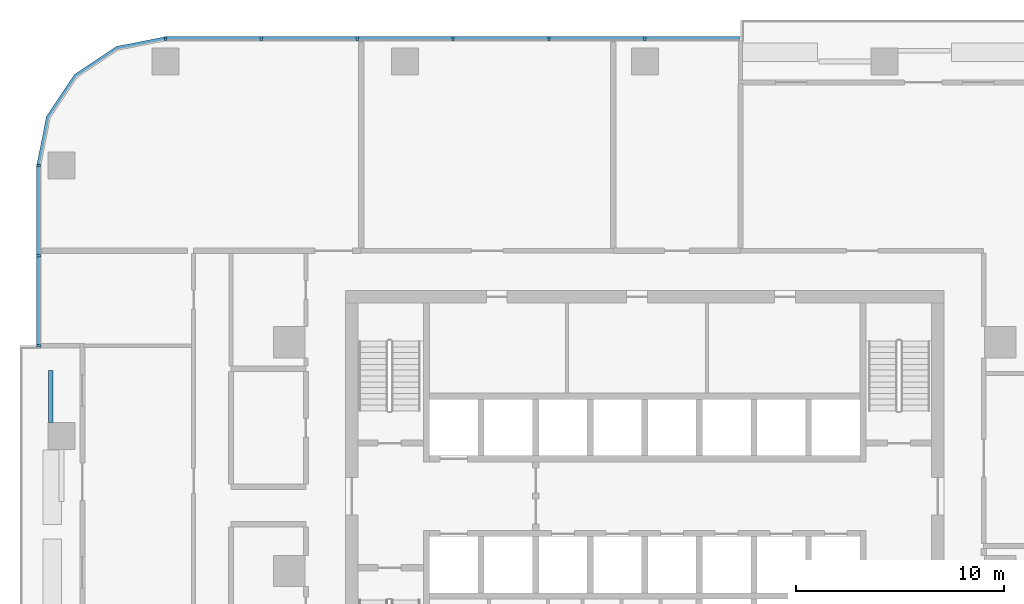
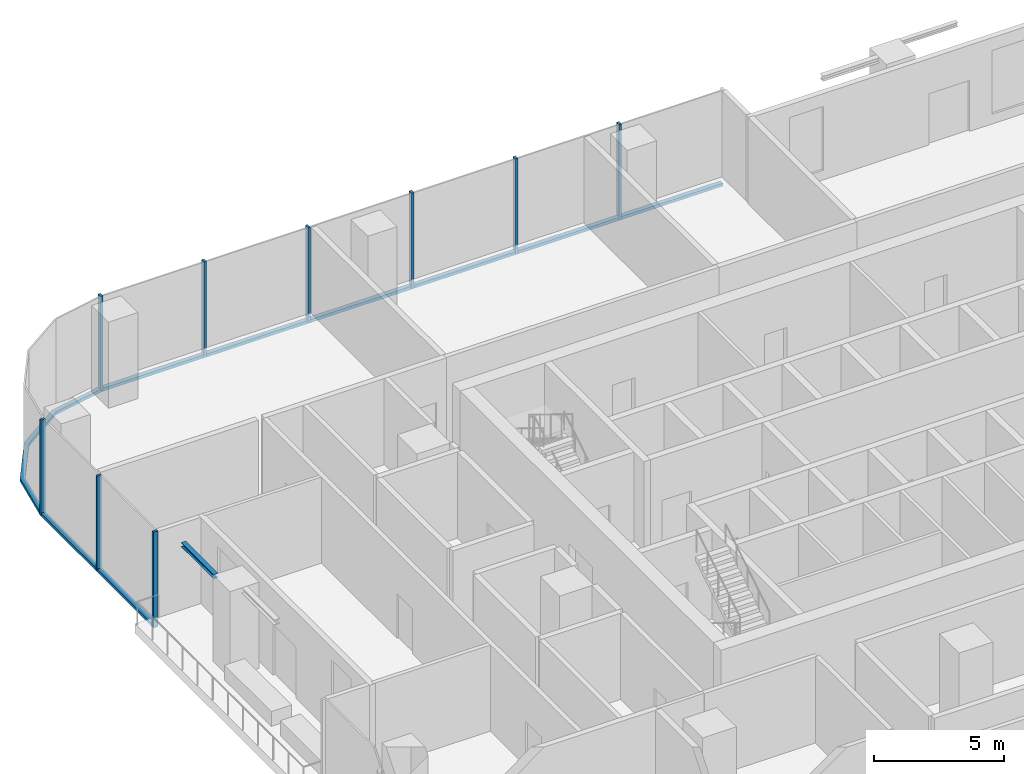
# One storey, part 4 of 15: 18 members, 1 beam, 3 elements without a shape of their own.
"""IFC4 building model written with IfcOpenShell, lengths in metres."""

from ifc_helpers import new_model, si_unit, direction, frame, origin, origin_2d, place, context, subcontext, project, spatial, polyline, rectangle, i_section, outline, extrude, material, material_profile, profile_set, type_object, element, aggregate, save


model = new_model("IFC4")

# Units and contexts
model_context = context("Model", 3, precision=1e-05, world=origin(), true_north=direction((0.0, 1.0)))
body_context = subcontext(model_context, "Body", "Model", "MODEL_VIEW")
ifc_project = project(units=[si_unit("LENGTHUNIT", "METRE"), si_unit("AREAUNIT", "SQUARE_METRE"), si_unit("VOLUMEUNIT", "CUBIC_METRE"), si_unit("PLANEANGLEUNIT", "RADIAN"), si_unit("MASSUNIT", "GRAM", prefix="KILO")], contexts=[model_context])

# Site, building, storey
site_placement = place(None, origin())
site = spatial("IfcSite", under=ifc_project, at=site_placement, CompositionType="ELEMENT")
building_placement = place(site_placement, origin())
building = spatial("IfcBuilding", under=site, at=building_placement, Name="Mopane Tessera Tower", CompositionType="ELEMENT")
storey_placement = place(building_placement, frame((0.0, 0.0, 112.60009765625)))
storey = spatial("IfcBuildingStorey", under=building, at=storey_placement, Name="L22", CompositionType="ELEMENT", Elevation=112.60009765625)

# Curtain wall, members
ifc_material_1 = material(Name="Aluminium frame", Category="aluminium")
curtain_wall_type = type_object("IfcCurtainWallType", Name="Lower tower unitised wall", PredefinedType="NOTDEFINED", material=ifc_material_1)
curtain_wall_1_placement = place(storey_placement, origin())
curtain_wall_1 = element("IfcCurtainWall", 1, at=curtain_wall_1_placement, inside=storey, type_object=curtain_wall_type, Name="e:cw:L22:N:4", PredefinedType="NOTDEFINED")
ifc_material_2 = material(Name="Aluminium frame", Category="aluminium")
ifc_material_profile_1 = material_profile(ifc_material_2, rectangle(XDim=0.110107421875, YDim=0.199951171875, at=origin_2d()))
ifc_profile_set_1 = profile_set([ifc_material_profile_1], Name="Aluminium frame")
member_type_1 = type_object("IfcMemberType", Name="Aluminium mullion 110 x 200", PredefinedType="MULLION", material=ifc_profile_set_1)
member_1_placement = place(storey_placement, frame((0.0, 25.60009765625, -0.4501953125), z_axis=(0.0, 0.0, 1.0), x_axis=(-1.0, 0.0, 0.0)))
member_1 = element("IfcMember", 2, at=member_1_placement, type_object=member_type_1, Name="e:cw:L22:N:4:mu5", PredefinedType="MULLION", context=body_context, shape_type="SweptSolid", body=[
    extrude(rectangle(XDim=0.110107421875, YDim=0.199951171875, at=origin_2d()), origin(), (0.0, 0.0, 1.0), 4.5),
])
member_2_placement = place(storey_placement, frame((-4.610107421875, 25.60009765625, -0.4501953125), z_axis=(0.0, 0.0, 1.0), x_axis=(-1.0, 0.0, 0.0)))
member_2 = element("IfcMember", 3, at=member_2_placement, type_object=member_type_1, Name="e:cw:L22:N:4:mu6", PredefinedType="MULLION", context=body_context, shape_type="SweptSolid", body=[
    extrude(rectangle(XDim=0.110107421875, YDim=0.199951171875, at=origin_2d()), origin(), (0.0, 0.0, 1.0), 4.5),
])
member_3_placement = place(storey_placement, frame((-9.219970703125, 25.60009765625, -0.4501953125), z_axis=(0.0, 0.0, 1.0), x_axis=(-1.0, 0.0, 0.0)))
member_3 = element("IfcMember", 4, at=member_3_placement, type_object=member_type_1, Name="e:cw:L22:N:4:mu7", PredefinedType="MULLION", context=body_context, shape_type="SweptSolid", body=[
    extrude(rectangle(XDim=0.110107421875, YDim=0.199951171875, at=origin_2d()), origin(), (0.0, 0.0, 1.0), 4.5),
])
member_4_placement = place(storey_placement, frame((-13.830078125, 25.60009765625, -0.4501953125), z_axis=(0.0, 0.0, 1.0), x_axis=(-1.0, 0.0, 0.0)))
member_4 = element("IfcMember", 5, at=member_4_placement, type_object=member_type_1, Name="e:cw:L22:N:4:mu8", PredefinedType="MULLION", context=body_context, shape_type="SweptSolid", body=[
    extrude(rectangle(XDim=0.110107421875, YDim=0.199951171875, at=origin_2d()), origin(), (0.0, 0.0, 1.0), 4.5),
])
member_5_placement = place(storey_placement, frame((-18.43994140625, 25.60009765625, -0.4501953125), z_axis=(0.0, 0.0, 1.0), x_axis=(-1.0, 0.0, 0.0)))
member_5 = element("IfcMember", 6, at=member_5_placement, type_object=member_type_1, Name="e:cw:L22:N:4:mu9", PredefinedType="MULLION", context=body_context, shape_type="SweptSolid", body=[
    extrude(rectangle(XDim=0.110107421875, YDim=0.199951171875, at=origin_2d()), origin(), (0.0, 0.0, 1.0), 4.5),
])
member_6_placement = place(storey_placement, frame((-23.050048828125, 25.60009765625, -0.4501953125), z_axis=(0.0, 0.0, 1.0), x_axis=(-1.0, 0.0, 0.0)))
member_6 = element("IfcMember", 7, at=member_6_placement, type_object=member_type_1, Name="e:cw:L22:N:4:mu10", PredefinedType="MULLION", context=body_context, shape_type="SweptSolid", body=[
    extrude(rectangle(XDim=0.110107421875, YDim=0.199951171875, at=origin_2d()), origin(), (0.0, 0.0, 1.0), 4.5),
])

curtain_wall_2_placement = place(storey_placement, origin())
curtain_wall_2 = element("IfcCurtainWall", 8, at=curtain_wall_2_placement, inside=storey, type_object=curtain_wall_type, Name="e:cw:L22:W:0", PredefinedType="NOTDEFINED")
member_7_placement = place(storey_placement, frame((-29.14990234375, 19.5, -0.4501953125), z_axis=(0.0, 0.0, 1.0), x_axis=(0.0, -1.0, 0.0)))
member_7 = element("IfcMember", 9, at=member_7_placement, type_object=member_type_1, Name="e:cw:L22:W:0:mu0", PredefinedType="MULLION", context=body_context, shape_type="SweptSolid", body=[
    extrude(rectangle(XDim=0.110107421875, YDim=0.199951171875, at=origin_2d()), origin(), (0.0, 0.0, 1.0), 4.5),
])
member_8_placement = place(storey_placement, frame((-29.14990234375, 15.166748046875, -0.4501953125), z_axis=(0.0, 0.0, 1.0), x_axis=(0.0, -1.0, 0.0)))
member_8 = element("IfcMember", 10, at=member_8_placement, type_object=member_type_1, Name="e:cw:L22:W:0:mu1", PredefinedType="MULLION", context=body_context, shape_type="SweptSolid", body=[
    extrude(rectangle(XDim=0.110107421875, YDim=0.199951171875, at=origin_2d()), origin(), (0.0, 0.0, 1.0), 4.5),
])
member_9_placement = place(storey_placement, frame((-29.14990234375, 10.833251953125, -0.4501953125), z_axis=(0.0, 0.0, 1.0), x_axis=(0.0, -1.0, 0.0)))
member_9 = element("IfcMember", 11, at=member_9_placement, type_object=member_type_1, Name="e:cw:L22:W:0:mu2", PredefinedType="MULLION", context=body_context, shape_type="SweptSolid", body=[
    extrude(rectangle(XDim=0.110107421875, YDim=0.199951171875, at=origin_2d()), origin(), (0.0, 0.0, 1.0), 4.5),
])

# Member
ifc_material_3 = material(Name="Aluminium frame", Category="aluminium")
ifc_material_profile_2 = material_profile(ifc_material_3, rectangle(XDim=0.199951171875, YDim=0.139892578125, at=origin_2d()))
ifc_profile_set_2 = profile_set([ifc_material_profile_2], Name="Aluminium frame")
member_type_2 = type_object("IfcMemberType", Name="Aluminium transom 200 x 140", PredefinedType="USERDEFINED", material=ifc_profile_set_2)
member_10_placement = place(storey_placement, frame((4.554931640625, 25.60009765625, -0.380126953125), z_axis=(-1.0, 0.0, 0.0), x_axis=(0.0, -1.0, 0.0)))
member_10 = element("IfcMember", 12, at=member_10_placement, type_object=member_type_2, Name="e:cw:L22:N:4:tr4", ObjectType="TRANSOM", PredefinedType="USERDEFINED", context=body_context, shape_type="SweptSolid", body=[
    extrude(rectangle(XDim=0.199951171875, YDim=0.139892578125, at=origin_2d()), origin(), (0.0, 0.0, 1.0), 4.5),
])

member_11_placement = place(storey_placement, frame((-0.054931640625, 25.60009765625, -0.380126953125), z_axis=(-1.0, 0.0, 0.0), x_axis=(0.0, -1.0, 0.0)))
member_11 = element("IfcMember", 13, at=member_11_placement, type_object=member_type_2, Name="e:cw:L22:N:4:tr5", ObjectType="TRANSOM", PredefinedType="USERDEFINED", context=body_context, shape_type="SweptSolid", body=[
    extrude(rectangle(XDim=0.199951171875, YDim=0.139892578125, at=origin_2d()), origin(), (0.0, 0.0, 1.0), 4.5),
])

member_12_placement = place(storey_placement, frame((-4.6650390625, 25.60009765625, -0.380126953125), z_axis=(-1.0, 0.0, 0.0), x_axis=(0.0, -1.0, 0.0)))
member_12 = element("IfcMember", 14, at=member_12_placement, type_object=member_type_2, Name="e:cw:L22:N:4:tr6", ObjectType="TRANSOM", PredefinedType="USERDEFINED", context=body_context, shape_type="SweptSolid", body=[
    extrude(rectangle(XDim=0.199951171875, YDim=0.139892578125, at=origin_2d()), origin(), (0.0, 0.0, 1.0), 4.5),
])

member_13_placement = place(storey_placement, frame((-9.27490234375, 25.60009765625, -0.380126953125), z_axis=(-1.0, 0.0, 0.0), x_axis=(0.0, -1.0, 0.0)))
member_13 = element("IfcMember", 15, at=member_13_placement, type_object=member_type_2, Name="e:cw:L22:N:4:tr7", ObjectType="TRANSOM", PredefinedType="USERDEFINED", context=body_context, shape_type="SweptSolid", body=[
    extrude(rectangle(XDim=0.199951171875, YDim=0.139892578125, at=origin_2d()), origin(), (0.0, 0.0, 1.0), 4.5),
])

member_14_placement = place(storey_placement, frame((-13.885009765625, 25.60009765625, -0.380126953125), z_axis=(-1.0, 0.0, 0.0), x_axis=(0.0, -1.0, 0.0)))
member_14 = element("IfcMember", 16, at=member_14_placement, type_object=member_type_2, Name="e:cw:L22:N:4:tr8", ObjectType="TRANSOM", PredefinedType="USERDEFINED", context=body_context, shape_type="SweptSolid", body=[
    extrude(rectangle(XDim=0.199951171875, YDim=0.139892578125, at=origin_2d()), origin(), (0.0, 0.0, 1.0), 4.5),
])

member_15_placement = place(storey_placement, frame((-18.4951171875, 25.60009765625, -0.380126953125), z_axis=(-1.0, 0.0, 0.0), x_axis=(0.0, -1.0, 0.0)))
member_15 = element("IfcMember", 17, at=member_15_placement, type_object=member_type_2, Name="e:cw:L22:N:4:tr9", ObjectType="TRANSOM", PredefinedType="USERDEFINED", context=body_context, shape_type="SweptSolid", body=[
    extrude(rectangle(XDim=0.199951171875, YDim=0.139892578125, at=origin_2d()), origin(), (0.0, 0.0, 1.0), 4.5),
])

aggregate(curtain_wall_1, [member_1, member_2, member_3, member_4, member_5, member_6, member_10, member_11, member_12, member_13, member_14, member_15])

# Curtain wall, member
curtain_wall_3_placement = place(storey_placement, origin())
curtain_wall_3 = element("IfcCurtainWall", 18, at=curtain_wall_3_placement, inside=storey, type_object=curtain_wall_type, Name="e:cw:L22:CN", PredefinedType="NOTDEFINED")
member_16_placement = place(storey_placement, frame((0.0, 0.0, -0.4501953125)))
member_16 = element("IfcMember", 19, at=member_16_placement, type_object=member_type_2, Name="e:cw:L22:CN:tr", ObjectType="TRANSOM", PredefinedType="USERDEFINED", context=body_context, shape_type="SweptSolid", body=[
    extrude(outline(polyline([(-23.050048828125, 25.5), (-25.34619140625, 25.043212890625), (-27.292724609375, 23.74267578125), (-28.59326171875, 21.796142578125), (-29.050048828125, 19.5), (-29.25, 19.5), (-28.778076171875, 21.87255859375), (-27.43408203125, 23.884033203125), (-25.422607421875, 25.22802734375), (-23.050048828125, 25.699951171875), (-23.050048828125, 25.5)])), origin(), (0.0, 0.0, 1.0), 0.14013671875),
])
aggregate(curtain_wall_3, [member_16])

# Member
member_17_placement = place(storey_placement, frame((-29.14990234375, 19.445068359375, -0.380126953125), z_axis=(0.0, -1.0, 0.0), x_axis=(1.0, 0.0, 0.0)))
member_17 = element("IfcMember", 20, at=member_17_placement, type_object=member_type_2, Name="e:cw:L22:W:0:tr0", ObjectType="TRANSOM", PredefinedType="USERDEFINED", context=body_context, shape_type="SweptSolid", body=[
    extrude(rectangle(XDim=0.199951171875, YDim=0.139892578125, at=origin_2d()), origin(), (0.0, 0.0, 1.0), 4.223388671875),
])

member_18_placement = place(storey_placement, frame((-29.14990234375, 15.111572265625, -0.380126953125), z_axis=(0.0, -1.0, 0.0), x_axis=(1.0, 0.0, 0.0)))
member_18 = element("IfcMember", 21, at=member_18_placement, type_object=member_type_2, Name="e:cw:L22:W:0:tr1", ObjectType="TRANSOM", PredefinedType="USERDEFINED", context=body_context, shape_type="SweptSolid", body=[
    extrude(rectangle(XDim=0.199951171875, YDim=0.139892578125, at=origin_2d()), origin(), (0.0, 0.0, 1.0), 4.22314453125),
])

aggregate(curtain_wall_2, [member_7, member_8, member_9, member_17, member_18])

# Beam
ifc_material_4 = material(Name="Structural steel S460", Category="steel")
ifc_material_profile_3 = material_profile(ifc_material_4, i_section(OverallWidth=0.199951171875, OverallDepth=0.199951171875, WebThickness=0.009033203125, FlangeThickness=0.014892578125, FilletRadius=0.01806640625, at=origin_2d()))
ifc_profile_set_3 = profile_set([ifc_material_profile_3], Name="Structural steel S460")
beam_type = type_object("IfcBeamType", Name="Terrace trimmer beam HE 200 B", PredefinedType="BEAM", material=ifc_profile_set_3)
beam_placement = place(storey_placement, frame((-28.570068359375, 7.153076171875, 3.949951171875), z_axis=(0.0, 1.0, 0.0), x_axis=(-1.0, 0.0, 0.0)))
element("IfcBeam", 22, at=beam_placement, inside=storey, type_object=beam_type, Name="Terrace trimmer beam N2 L23", PredefinedType="BEAM", context=body_context, shape_type="SweptSolid", body=[
    extrude(i_section(OverallWidth=0.199951171875, OverallDepth=0.199951171875, WebThickness=0.009033203125, FlangeThickness=0.014892578125, FilletRadius=0.01806640625, at=origin_2d()), origin(), (0.0, 0.0, 1.0), 2.5),
])

save(model, "model.ifc")
